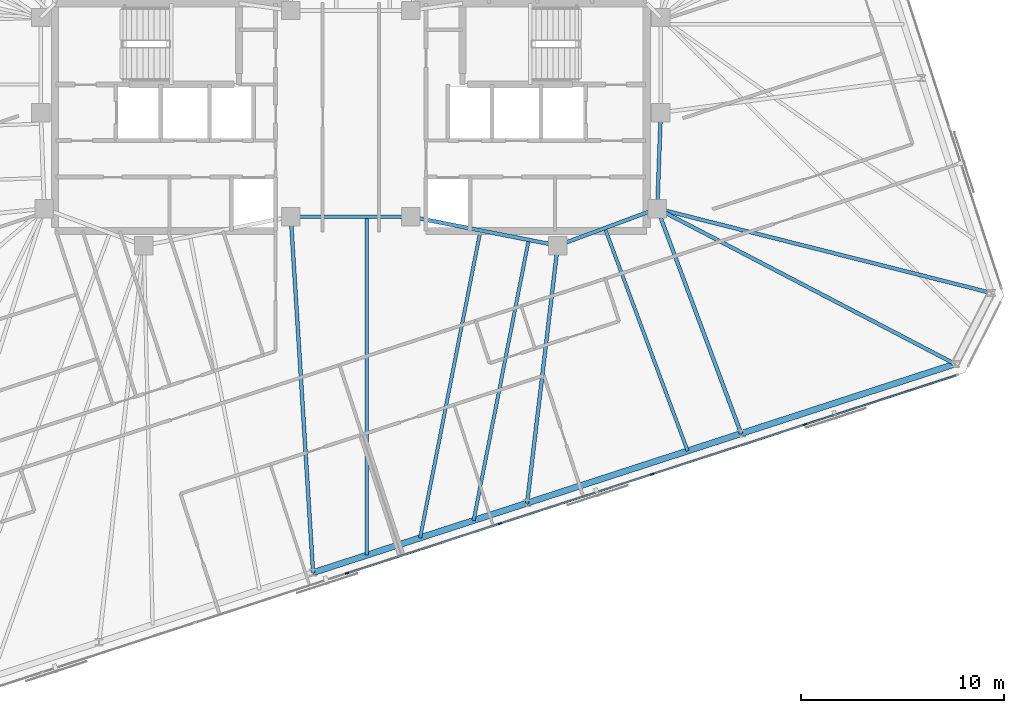
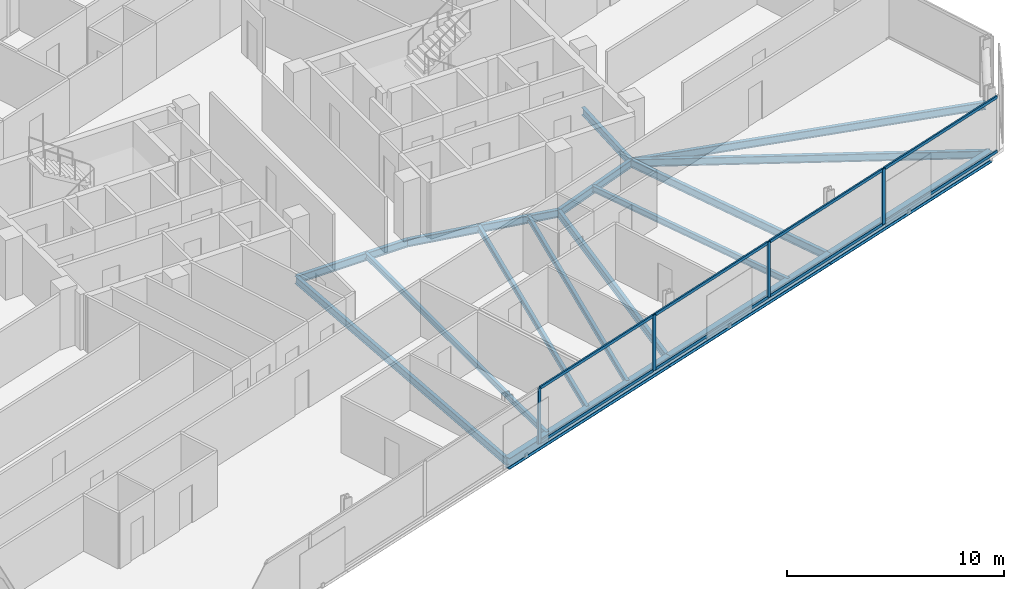
# One storey, part 7 of 20: 16 beams, 12 members, 1 element without a shape of its own.
"""IFC4 building model written with IfcOpenShell, lengths in metres."""

from ifc_helpers import new_model, si_unit, direction, frame, origin, origin_2d, place, context, subcontext, project, spatial, rectangle, i_section, extrude, material, material_profile, profile_set, type_object, element, aggregate, save


model = new_model("IFC4")

# Units and contexts
model_context = context("Model", 3, precision=1e-05, world=origin(), true_north=direction((0.0, 1.0)))
body_context = subcontext(model_context, "Body", "Model", "MODEL_VIEW")
ifc_project = project(units=[si_unit("LENGTHUNIT", "METRE"), si_unit("AREAUNIT", "SQUARE_METRE"), si_unit("VOLUMEUNIT", "CUBIC_METRE"), si_unit("PLANEANGLEUNIT", "RADIAN"), si_unit("MASSUNIT", "GRAM", prefix="KILO")], contexts=[model_context])

# Site, building, storey
site_placement = place(None, origin())
site = spatial("IfcSite", under=ifc_project, at=site_placement, CompositionType="ELEMENT")
building_placement = place(site_placement, origin())
building = spatial("IfcBuilding", under=site, at=building_placement, Name="Menara Jurai Vektor", CompositionType="ELEMENT")
storey_placement = place(building_placement, frame((0.0, 0.0, 244.39990234375)))
storey = spatial("IfcBuildingStorey", under=building, at=storey_placement, Name="L65", CompositionType="ELEMENT", Elevation=244.39990234375)

# Curtain wall, members
ifc_material_1 = material(Name="Anodised Pale Aluminium & Low-E Double Glazing", Category="aluminium")
curtain_wall_type = type_object("IfcCurtainWallType", Name="CW-BLK4", PredefinedType="NOTDEFINED", material=ifc_material_1)
curtain_wall_placement = place(storey_placement, origin())
curtain_wall = element("IfcCurtainWall", 1, at=curtain_wall_placement, inside=storey, type_object=curtain_wall_type, Name="Unitised Curtain Wall L65 F01", PredefinedType="NOTDEFINED")
ifc_material_2 = material(Name="Anodised Pale Aluminium Mullion", Category="aluminium")
ifc_material_profile_1 = material_profile(ifc_material_2, rectangle(XDim=0.080078125, YDim=0.18994140625, at=origin_2d()), Name="ALU MUL 80x190")
ifc_profile_set_1 = profile_set([ifc_material_profile_1], Name="Anodised Pale Aluminium Mullion")
member_type_1 = type_object("IfcMemberType", Name="CW-BLK4-MUL", PredefinedType="MULLION", material=ifc_profile_set_1)
member_1_placement = place(storey_placement, frame((-0.17236328125, -22.4404296875, 0.0), z_axis=(0.0, 0.0, 1.0), x_axis=(-0.309017344167, 0.951056402641, 0.0)))
member_1 = element("IfcMember", 2, at=member_1_placement, type_object=member_type_1, Name="CW-04 mullion 4", PredefinedType="MULLION", context=body_context, shape_type="SweptSolid", body=[
    extrude(rectangle(XDim=0.080078125, YDim=0.18994140625, at=origin_2d()), origin(), (0.0, 0.0, 1.0), 3.125),
])
member_2_placement = place(storey_placement, frame((7.3330078125, -20.001953125, 0.0), z_axis=(0.0, 0.0, 1.0), x_axis=(-0.309017344167, 0.951056402641, 0.0)))
member_2 = element("IfcMember", 3, at=member_2_placement, type_object=member_type_1, Name="CW-04 mullion 5", PredefinedType="MULLION", context=body_context, shape_type="SweptSolid", body=[
    extrude(rectangle(XDim=0.080078125, YDim=0.18994140625, at=origin_2d()), origin(), (0.0, 0.0, 1.0), 3.125),
])
member_3_placement = place(storey_placement, frame((14.838134765625, -17.563232421875, 0.0), z_axis=(0.0, 0.0, 1.0), x_axis=(-0.309017344167, 0.951056402641, 0.0)))
member_3 = element("IfcMember", 4, at=member_3_placement, type_object=member_type_1, Name="CW-04 mullion 6", PredefinedType="MULLION", context=body_context, shape_type="SweptSolid", body=[
    extrude(rectangle(XDim=0.080078125, YDim=0.18994140625, at=origin_2d()), origin(), (0.0, 0.0, 1.0), 3.125),
])
member_4_placement = place(storey_placement, frame((22.34326171875, -15.124755859375, 0.0), z_axis=(0.0, 0.0, 1.0), x_axis=(-0.309017344167, 0.951056402641, 0.0)))
member_4 = element("IfcMember", 5, at=member_4_placement, type_object=member_type_1, Name="CW-04 mullion 7", PredefinedType="MULLION", context=body_context, shape_type="SweptSolid", body=[
    extrude(rectangle(XDim=0.080078125, YDim=0.18994140625, at=origin_2d()), origin(), (0.0, 0.0, 1.0), 3.125),
])
ifc_material_3 = material(Name="Anodised Pale Aluminium Transom", Category="aluminium")
ifc_material_profile_2 = material_profile(ifc_material_3, rectangle(XDim=0.080078125, YDim=0.1650390625, at=origin_2d()), Name="ALU TRN 80x165")
ifc_profile_set_2 = profile_set([ifc_material_profile_2], Name="Anodised Pale Aluminium Transom")
member_type_2 = type_object("IfcMemberType", Name="CW-BLK4-TRN", PredefinedType="USERDEFINED", material=ifc_profile_set_2)
member_5_placement = place(storey_placement, frame((-0.13427734375, -22.427978515625, 0.0400390625), z_axis=(0.951059330237, 0.309008333817, 0.0), x_axis=(-0.309008333817, 0.951059330237, 0.0)))
member_5 = element("IfcMember", 6, at=member_5_placement, type_object=member_type_2, Name="CW-04 transom 4.1", ObjectType="TRANSOM", PredefinedType="USERDEFINED", context=body_context, shape_type="SweptSolid", body=[
    extrude(rectangle(XDim=0.080078125, YDim=0.1650390625, at=origin_2d()), origin(), (0.0, 0.0, 1.0), 7.8115234375),
])
member_6_placement = place(storey_placement, frame((-0.13427734375, -22.427978515625, 3.085205078125), z_axis=(0.951059330237, 0.309008333817, 0.0), x_axis=(-0.309008333817, 0.951059330237, 0.0)))
member_6 = element("IfcMember", 7, at=member_6_placement, type_object=member_type_2, Name="CW-04 transom 4.2", ObjectType="TRANSOM", PredefinedType="USERDEFINED", context=body_context, shape_type="SweptSolid", body=[
    extrude(rectangle(XDim=0.080078125, YDim=0.1650390625, at=origin_2d()), origin(), (0.0, 0.0, 1.0), 7.8115234375),
])
member_7_placement = place(storey_placement, frame((7.37109375, -19.989501953125, 0.0400390625), z_axis=(0.95105634578, 0.309017519167, 0.0), x_axis=(-0.309017519167, 0.95105634578, 0.0)))
member_7 = element("IfcMember", 8, at=member_7_placement, type_object=member_type_2, Name="CW-04 transom 5.1", ObjectType="TRANSOM", PredefinedType="USERDEFINED", context=body_context, shape_type="SweptSolid", body=[
    extrude(rectangle(XDim=0.080078125, YDim=0.1650390625, at=origin_2d()), origin(), (0.0, 0.0, 1.0), 7.811279296875),
])
member_8_placement = place(storey_placement, frame((7.37109375, -19.989501953125, 3.085205078125), z_axis=(0.95105634578, 0.309017519167, 0.0), x_axis=(-0.309017519167, 0.95105634578, 0.0)))
member_8 = element("IfcMember", 9, at=member_8_placement, type_object=member_type_2, Name="CW-04 transom 5.2", ObjectType="TRANSOM", PredefinedType="USERDEFINED", context=body_context, shape_type="SweptSolid", body=[
    extrude(rectangle(XDim=0.080078125, YDim=0.1650390625, at=origin_2d()), origin(), (0.0, 0.0, 1.0), 7.811279296875),
])
member_9_placement = place(storey_placement, frame((14.876220703125, -17.551025390625, 0.0400390625), z_axis=(0.95104715984, 0.309045789099, 0.0), x_axis=(-0.309045789099, 0.95104715984, 0.0)))
member_9 = element("IfcMember", 10, at=member_9_placement, type_object=member_type_2, Name="CW-04 transom 6.1", ObjectType="TRANSOM", PredefinedType="USERDEFINED", context=body_context, shape_type="SweptSolid", body=[
    extrude(rectangle(XDim=0.080078125, YDim=0.1650390625, at=origin_2d()), origin(), (0.0, 0.0, 1.0), 7.811279296875),
])
member_10_placement = place(storey_placement, frame((14.876220703125, -17.551025390625, 3.085205078125), z_axis=(0.95104715984, 0.309045789099, 0.0), x_axis=(-0.309045789099, 0.95104715984, 0.0)))
member_10 = element("IfcMember", 11, at=member_10_placement, type_object=member_type_2, Name="CW-04 transom 6.2", ObjectType="TRANSOM", PredefinedType="USERDEFINED", context=body_context, shape_type="SweptSolid", body=[
    extrude(rectangle(XDim=0.080078125, YDim=0.1650390625, at=origin_2d()), origin(), (0.0, 0.0, 1.0), 7.811279296875),
])
member_11_placement = place(storey_placement, frame((22.38134765625, -15.1123046875, 0.0400390625), z_axis=(0.951062230089, 0.308999408573, 0.0), x_axis=(-0.308999408573, 0.951062230089, 0.0)))
member_11 = element("IfcMember", 12, at=member_11_placement, type_object=member_type_2, Name="CW-04 transom 7.1", ObjectType="TRANSOM", PredefinedType="USERDEFINED", context=body_context, shape_type="SweptSolid", body=[
    extrude(rectangle(XDim=0.080078125, YDim=0.1650390625, at=origin_2d()), origin(), (0.0, 0.0, 1.0), 7.771484375),
])
member_12_placement = place(storey_placement, frame((22.38134765625, -15.1123046875, 3.085205078125), z_axis=(0.951062230089, 0.308999408573, 0.0), x_axis=(-0.308999408573, 0.951062230089, 0.0)))
member_12 = element("IfcMember", 13, at=member_12_placement, type_object=member_type_2, Name="CW-04 transom 7.2", ObjectType="TRANSOM", PredefinedType="USERDEFINED", context=body_context, shape_type="SweptSolid", body=[
    extrude(rectangle(XDim=0.080078125, YDim=0.1650390625, at=origin_2d()), origin(), (0.0, 0.0, 1.0), 7.771484375),
])
aggregate(curtain_wall, [member_1, member_2, member_3, member_4, member_5, member_6, member_7, member_8, member_9, member_10, member_11, member_12])

# Beams
ifc_material_4 = material(Name="Steel S355", Category="steel")
ifc_material_profile_3 = material_profile(ifc_material_4, i_section(OverallWidth=0.18505859375, OverallDepth=0.429931640625, WebThickness=0.010986328125, FlangeThickness=0.01806640625, at=origin_2d()), Name="PG 430x185x76")
ifc_profile_set_3 = profile_set([ifc_material_profile_3], Name="Steel S355")
beam_type_1 = type_object("IfcBeamType", Name="STR-BM-430", PredefinedType="BEAM", material=ifc_profile_set_3)
beam_1_placement = place(storey_placement, frame((15.080078125, -4.5, -0.43994140625), z_axis=(0.035977314146, 0.999352606874, 0.0), x_axis=(-0.999352606874, 0.035977314146, 0.0)))
element("IfcBeam", 14, at=beam_1_placement, inside=storey, type_object=beam_type_1, Name="Core Ring Header Girder L65-CHE-E2", PredefinedType="BEAM", context=body_context, shape_type="SweptSolid", body=[
    extrude(i_section(OverallWidth=0.18505859375, OverallDepth=0.429931640625, WebThickness=0.010986328125, FlangeThickness=0.01806640625, at=origin_2d()), origin(), (0.0, 0.0, 1.0), 4.72314453125),
])
beam_2_placement = place(storey_placement, frame((10.179931640625, -6.320068359375, -0.43994140625), z_axis=(0.937424400887, 0.348188874925, 0.0), x_axis=(-0.348188874925, 0.937424400887, 0.0)))
element("IfcBeam", 15, at=beam_2_placement, inside=storey, type_object=beam_type_1, Name="Core Ring Header Girder L65-CHE-S1", PredefinedType="BEAM", context=body_context, shape_type="SweptSolid", body=[
    extrude(i_section(OverallWidth=0.18505859375, OverallDepth=0.429931640625, WebThickness=0.010986328125, FlangeThickness=0.01806640625, at=origin_2d()), origin(), (0.0, 0.0, 1.0), 5.227294921875),
])
beam_3_placement = place(storey_placement, frame((2.949951171875, -4.89990234375, -0.43994140625), z_axis=(0.981249044334, -0.192744164614, 0.0), x_axis=(0.192744164614, 0.981249044334, 0.0)))
element("IfcBeam", 16, at=beam_3_placement, inside=storey, type_object=beam_type_1, Name="Core Ring Header Girder L65-CHE-S2", PredefinedType="BEAM", context=body_context, shape_type="SweptSolid", body=[
    extrude(i_section(OverallWidth=0.18505859375, OverallDepth=0.429931640625, WebThickness=0.010986328125, FlangeThickness=0.01806640625, at=origin_2d()), origin(), (0.0, 0.0, 1.0), 7.3681640625),
])
beam_4_placement = place(storey_placement, frame((-2.949951171875, -4.89990234375, -0.43994140625), z_axis=(1.0, 0.0, 0.0), x_axis=(0.0, 1.0, 0.0)))
element("IfcBeam", 17, at=beam_4_placement, inside=storey, type_object=beam_type_1, Name="Core Ring Header Girder L65-CC-1", PredefinedType="BEAM", context=body_context, shape_type="SweptSolid", body=[
    extrude(i_section(OverallWidth=0.18505859375, OverallDepth=0.429931640625, WebThickness=0.010986328125, FlangeThickness=0.01806640625, at=origin_2d()), origin(), (0.0, 0.0, 1.0), 5.89990234375),
])
beam_5_placement = place(storey_placement, frame((-1.854248046875, -22.40869140625, -0.43994140625), z_axis=(-0.062457995419, 0.998047593458, 0.0), x_axis=(-0.998047593458, -0.062457995419, 0.0)))
element("IfcBeam", 18, at=beam_5_placement, inside=storey, type_object=beam_type_1, Name="Radial Floor Girder L65-S3", PredefinedType="BEAM", context=body_context, shape_type="SweptSolid", body=[
    extrude(i_section(OverallWidth=0.18505859375, OverallDepth=0.429931640625, WebThickness=0.010986328125, FlangeThickness=0.01806640625, at=origin_2d()), origin(), (0.0, 0.0, 1.0), 17.54296875),
])
beam_6_placement = place(storey_placement, frame((8.675048828125, -18.987548828125, -0.43994140625), z_axis=(0.117969360513, 0.99301723549, 0.0), x_axis=(-0.99301723549, 0.117969360513, 0.0)))
element("IfcBeam", 19, at=beam_6_placement, inside=storey, type_object=beam_type_1, Name="Radial Floor Girder L65-S4", PredefinedType="BEAM", context=body_context, shape_type="SweptSolid", body=[
    extrude(i_section(OverallWidth=0.18505859375, OverallDepth=0.429931640625, WebThickness=0.010986328125, FlangeThickness=0.01806640625, at=origin_2d()), origin(), (0.0, 0.0, 1.0), 12.756591796875),
])
beam_7_placement = place(storey_placement, frame((19.204345703125, -15.56640625, -0.43994140625), z_axis=(-0.349219718154, 0.93704086808, 0.0), x_axis=(-0.93704086808, -0.349219718154, 0.0)))
element("IfcBeam", 20, at=beam_7_placement, inside=storey, type_object=beam_type_1, Name="Radial Floor Girder L65-S5", PredefinedType="BEAM", context=body_context, shape_type="SweptSolid", body=[
    extrude(i_section(OverallWidth=0.18505859375, OverallDepth=0.429931640625, WebThickness=0.010986328125, FlangeThickness=0.01806640625, at=origin_2d()), origin(), (0.0, 0.0, 1.0), 11.81005859375),
])
beam_8_placement = place(storey_placement, frame((29.7333984375, -12.14501953125, -0.43994140625), z_axis=(-0.886589587068, 0.462556919851, 0.0), x_axis=(-0.462556919851, -0.886589587068, 0.0)))
element("IfcBeam", 21, at=beam_8_placement, inside=storey, type_object=beam_type_1, Name="Radial Floor Girder L65-S6", PredefinedType="BEAM", context=body_context, shape_type="SweptSolid", body=[
    extrude(i_section(OverallWidth=0.18505859375, OverallDepth=0.429931640625, WebThickness=0.010986328125, FlangeThickness=0.01806640625, at=origin_2d()), origin(), (0.0, 0.0, 1.0), 16.52783203125),
])
beam_9_placement = place(storey_placement, frame((31.513427734375, -8.652099609375, -0.43994140625), z_axis=(-0.969531956771, 0.244964864418, 0.0), x_axis=(-0.244964864418, -0.969531956771, 0.0)))
element("IfcBeam", 22, at=beam_9_placement, inside=storey, type_object=beam_type_1, Name="Radial Floor Girder L65-E1", PredefinedType="BEAM", context=body_context, shape_type="SweptSolid", body=[
    extrude(i_section(OverallWidth=0.18505859375, OverallDepth=0.429931640625, WebThickness=0.010986328125, FlangeThickness=0.01806640625, at=origin_2d()), origin(), (0.0, 0.0, 1.0), 16.94970703125),
])
ifc_material_profile_4 = material_profile(ifc_material_4, i_section(OverallWidth=0.1650390625, OverallDepth=0.330078125, WebThickness=0.009033203125, FlangeThickness=0.013916015625, at=origin_2d()), Name="PG 330x165x46")
ifc_profile_set_4 = profile_set([ifc_material_profile_4], Name="Steel S355")
beam_type_2 = type_object("IfcBeamType", Name="STR-JS-330", PredefinedType="JOIST", material=ifc_profile_set_4)
beam_10_placement = place(storey_placement, frame((0.778076171875, -21.55322265625, -0.389892578125), z_axis=(0.0, 1.0, 0.0), x_axis=(-1.0, 0.0, 0.0)))
element("IfcBeam", 23, at=beam_10_placement, inside=storey, type_object=beam_type_2, Name="Radial Secondary Floor Joist L65-JS05", PredefinedType="JOIST", context=body_context, shape_type="SweptSolid", body=[
    extrude(i_section(OverallWidth=0.1650390625, OverallDepth=0.330078125, WebThickness=0.009033203125, FlangeThickness=0.013916015625, at=origin_2d()), origin(), (0.0, 0.0, 1.0), 16.6533203125),
])
beam_11_placement = place(storey_placement, frame((3.410400390625, -20.697998046875, -0.389892578125), z_axis=(0.192721610081, 0.981253474393, 0.0), x_axis=(-0.981253474393, 0.192721610081, 0.0)))
element("IfcBeam", 24, at=beam_11_placement, inside=storey, type_object=beam_type_2, Name="Radial Secondary Floor Joist L65-JS06", PredefinedType="JOIST", context=body_context, shape_type="SweptSolid", body=[
    extrude(i_section(OverallWidth=0.1650390625, OverallDepth=0.330078125, WebThickness=0.009033203125, FlangeThickness=0.013916015625, at=origin_2d()), origin(), (0.0, 0.0, 1.0), 15.413330078125),
])
beam_12_placement = place(storey_placement, frame((6.042724609375, -19.8427734375, -0.389892578125), z_axis=(0.192720535629, 0.981253685418, 0.0), x_axis=(-0.981253685418, 0.192720535629, 0.0)))
element("IfcBeam", 25, at=beam_12_placement, inside=storey, type_object=beam_type_2, Name="Radial Secondary Floor Joist L65-JS07", PredefinedType="JOIST", context=body_context, shape_type="SweptSolid", body=[
    extrude(i_section(OverallWidth=0.1650390625, OverallDepth=0.330078125, WebThickness=0.009033203125, FlangeThickness=0.013916015625, at=origin_2d()), origin(), (0.0, 0.0, 1.0), 14.066650390625),
])
beam_13_placement = place(storey_placement, frame((16.572021484375, -16.421630859375, -0.389892578125), z_axis=(-0.348179715909, 0.937427802782, 0.0), x_axis=(-0.937427802782, -0.348179715909, 0.0)))
element("IfcBeam", 26, at=beam_13_placement, inside=storey, type_object=beam_type_2, Name="Radial Secondary Floor Joist L65-JS08", PredefinedType="JOIST", context=body_context, shape_type="SweptSolid", body=[
    extrude(i_section(OverallWidth=0.1650390625, OverallDepth=0.330078125, WebThickness=0.009033203125, FlangeThickness=0.013916015625, at=origin_2d()), origin(), (0.0, 0.0, 1.0), 11.695068359375),
])
ifc_material_profile_5 = material_profile(ifc_material_4, i_section(OverallWidth=0.306884765625, OverallDepth=0.6201171875, WebThickness=0.013916015625, FlangeThickness=0.02392578125, FilletRadius=0.01708984375, at=origin_2d()), Name="UKB 610x305x179")
ifc_profile_set_5 = profile_set([ifc_material_profile_5], Name="Steel S355")
beam_type_3 = type_object("IfcBeamType", Name="STR-SP-610", PredefinedType="SPANDREL", material=ifc_profile_set_5)
for number, where, z_axis, x_axis, name in (
    (27, (-1.854248046875, -22.40869140625, -0.534912109375), (0.951057401967, 0.309014268544, 0.0), (-0.309014268544, 0.951057401967, 0.0), "Exoskeleton Spandrel Beam L65-03"),
    (28, (8.675048828125, -18.987548828125, -0.534912109375), (0.951057401967, 0.309014268544, 0.0), (-0.309014268544, 0.951057401967, 0.0), "Exoskeleton Spandrel Beam L65-04"),
    (29, (19.204345703125, -15.56640625, -0.534912109375), (0.951048814879, 0.309040695892, 0.0), (-0.309040695892, 0.951048814879, 0.0), "Exoskeleton Spandrel Beam L65-05"),
):
    element("IfcBeam", number, at=place(storey_placement, frame(where, z_axis=z_axis, x_axis=x_axis)), inside=storey, type_object=beam_type_3, Name=name, PredefinedType="SPANDREL", context=body_context, shape_type="SweptSolid", body=[
        extrude(i_section(OverallWidth=0.306884765625, OverallDepth=0.6201171875, WebThickness=0.013916015625, FlangeThickness=0.02392578125, FilletRadius=0.01708984375, at=origin_2d()), origin(), (0.0, 0.0, 1.0), 11.071044921875),
    ])

save(model, "model.ifc")
